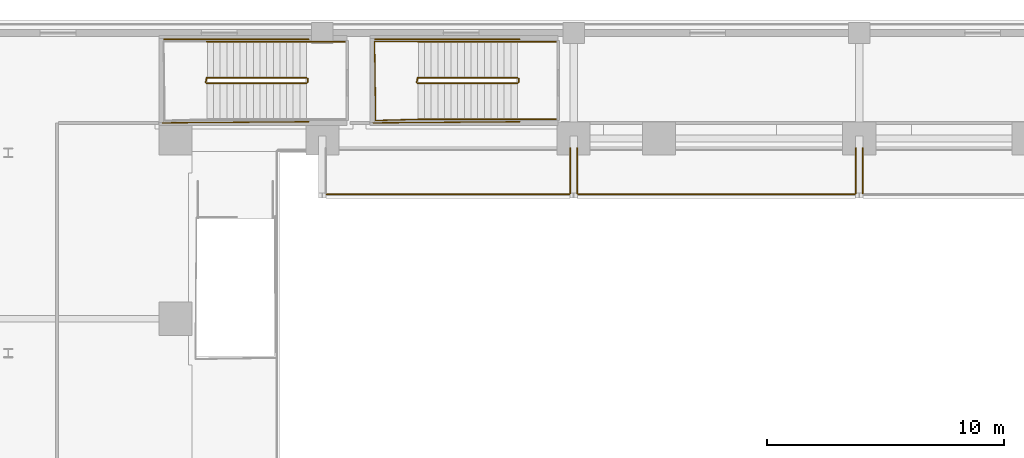
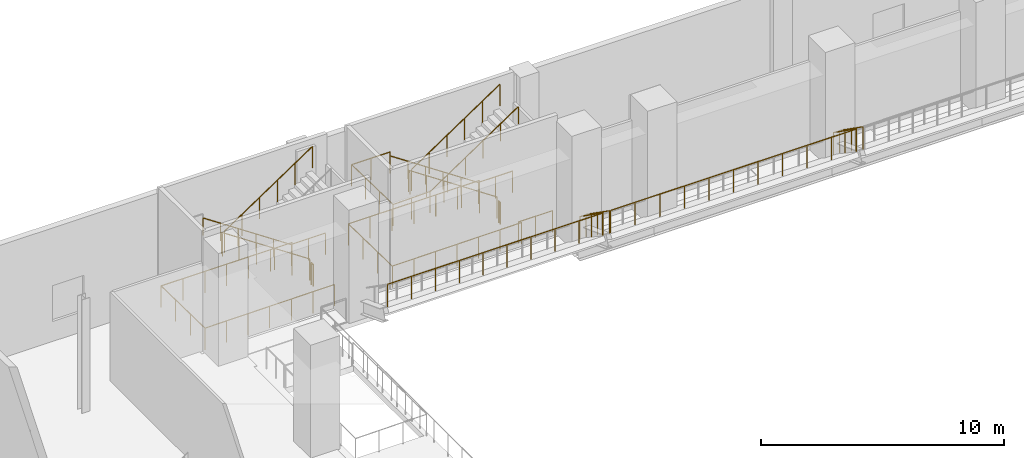
# One storey, part 21 of 28: 21 railings.
"""IFC4 building model written with IfcOpenShell, lengths in metres."""

from ifc_helpers import new_model, si_unit, direction, frame, origin, origin_2d, place, context, subcontext, project, spatial, circle, extrude, material, layer, layer_set, type_object, element, save


model = new_model("IFC4")

# Units and contexts
model_context = context("Model", 3, precision=1e-05, world=origin(), true_north=direction((0.0, 1.0)))
body_context = subcontext(model_context, "Body", "Model", "MODEL_VIEW")
ifc_project = project(units=[si_unit("LENGTHUNIT", "METRE"), si_unit("AREAUNIT", "SQUARE_METRE"), si_unit("VOLUMEUNIT", "CUBIC_METRE"), si_unit("PLANEANGLEUNIT", "RADIAN"), si_unit("MASSUNIT", "GRAM", prefix="KILO")], contexts=[model_context])

# Site, building, storey
site_placement = place(None, origin())
site = spatial("IfcSite", under=ifc_project, at=site_placement, CompositionType="ELEMENT")
building_placement = place(site_placement, origin())
building = spatial("IfcBuilding", under=site, at=building_placement, Name="Ndaravel Arena Tower", CompositionType="ELEMENT")
storey_placement = place(building_placement, frame((0.0, 0.0, 18.0)))
storey = spatial("IfcBuildingStorey", under=building, at=storey_placement, Name="L03", CompositionType="ELEMENT", Elevation=18.0)

# Railings
ifc_material_1 = material(Name="Steel S355", Category="steel")
ifc_layer_1 = layer(ifc_material_1, 0.06005859375)
ifc_layer_set_1 = layer_set([ifc_layer_1], Name="Steel S355")
railing_type_1 = type_object("IfcRailingType", Name="RAIL-STAIR-GD1100", PredefinedType="GUARDRAIL", material=ifc_layer_set_1)
railing_1_placement = place(storey_placement, frame((19.330078125, 45.570068359375, 0.1875)))
element("IfcRailing", 1, at=railing_1_placement, inside=storey, type_object=railing_type_1, Name="L03 ST-A08 stair guard 1", PredefinedType="GUARDRAIL", context=body_context, shape_type="SweptSolid", body=[
    extrude(circle(Radius=0.02392578125, at=origin_2d()), frame((0.0, 0.0, 1.076171875), z_axis=(-0.830919138977, 0.0, 0.55639319234), x_axis=(0.0, -1.0, 0.0)), (0.0, 0.0, 1.0), 5.054931640625),
    extrude(circle(Radius=0.02392578125, at=origin_2d()), frame((-4.2001953125, 0.0, 3.888671875), z_axis=(-0.253331722487, -0.967379469692, 0.0), x_axis=(0.967379469692, -0.253331722487, 0.0)), (0.0, 0.0, 1.0), 0.196533203125),
    extrude(circle(Radius=0.02099609375, at=origin_2d()), origin(), (0.0, 0.0, 1.0), 1.052001953125),
    extrude(circle(Radius=0.02099609375, at=origin_2d()), frame((-0.840087890625, 0.0, 0.5625)), (0.0, 0.0, 1.0), 1.052001953125),
    extrude(circle(Radius=0.02099609375, at=origin_2d()), frame((-1.68017578125, 0.0, 1.125)), (0.0, 0.0, 1.0), 1.052001953125),
    extrude(circle(Radius=0.02099609375, at=origin_2d()), frame((-2.52001953125, 0.0, 1.6875)), (0.0, 0.0, 1.0), 1.052001953125),
    extrude(circle(Radius=0.02099609375, at=origin_2d()), frame((-3.360107421875, 0.0, 2.25)), (0.0, 0.0, 1.0), 1.052001953125),
    extrude(circle(Radius=0.02099609375, at=origin_2d()), frame((-4.2001953125, 0.0, 2.8125)), (0.0, 0.0, 1.0), 1.052001953125),
    extrude(circle(Radius=0.02099609375, at=origin_2d()), frame((-4.25, -0.190185546875, 2.8125)), (0.0, 0.0, 1.0), 1.052001953125),
])
railing_2_placement = place(storey_placement, frame((15.1298828125, 45.330078125, 3.1875)))
element("IfcRailing", 2, at=railing_2_placement, inside=storey, type_object=railing_type_1, Name="L03 ST-A08 stair guard 3", PredefinedType="GUARDRAIL", context=body_context, shape_type="SweptSolid", body=[
    extrude(circle(Radius=0.02392578125, at=origin_2d()), frame((0.0, 0.0, 1.076171875), z_axis=(0.830919138977, 0.0, 0.55639319234), x_axis=(0.0, 1.0, 0.0)), (0.0, 0.0, 1.0), 5.054931640625),
    extrude(circle(Radius=0.02099609375, at=origin_2d()), origin(), (0.0, 0.0, 1.0), 1.052001953125),
    extrude(circle(Radius=0.02099609375, at=origin_2d()), frame((0.840087890625, 0.0, 0.5625)), (0.0, 0.0, 1.0), 1.052001953125),
    extrude(circle(Radius=0.02099609375, at=origin_2d()), frame((1.68017578125, 0.0, 1.125)), (0.0, 0.0, 1.0), 1.052001953125),
    extrude(circle(Radius=0.02099609375, at=origin_2d()), frame((2.52001953125, 0.0, 1.6875)), (0.0, 0.0, 1.0), 1.052001953125),
    extrude(circle(Radius=0.02099609375, at=origin_2d()), frame((3.360107421875, 0.0, 2.25)), (0.0, 0.0, 1.0), 1.052001953125),
    extrude(circle(Radius=0.02099609375, at=origin_2d()), frame((4.2001953125, 0.0, 2.8125)), (0.0, 0.0, 1.0), 1.052001953125),
])
railing_3_placement = place(storey_placement, frame((19.3798828125, 45.52001953125, 0.0)))
element("IfcRailing", 3, at=railing_3_placement, inside=storey, type_object=railing_type_1, Name="L03 ST-A08 stair guard 4", PredefinedType="GUARDRAIL", context=body_context, shape_type="SweptSolid", body=[
    extrude(circle(Radius=0.02392578125, at=origin_2d()), frame((0.0, 0.0, 1.076171875), z_axis=(0.0, -1.0, 0.0), x_axis=(1.0, 0.0, 0.0)), (0.0, 0.0, 1.0), 0.14013671875),
    extrude(circle(Radius=0.02099609375, at=origin_2d()), origin(), (0.0, 0.0, 1.0), 1.052001953125),
    extrude(circle(Radius=0.02099609375, at=origin_2d()), frame((0.0, -0.14013671875, 0.0)), (0.0, 0.0, 1.0), 1.052001953125),
])
railing_4_placement = place(storey_placement, frame((20.949951171875, 47.090087890625, 0.0)))
element("IfcRailing", 4, at=railing_4_placement, inside=storey, type_object=railing_type_1, Name="L03 ST-A08 stair guard 5", PredefinedType="GUARDRAIL", context=body_context, shape_type="SweptSolid", body=[
    extrude(circle(Radius=0.02392578125, at=origin_2d()), frame((0.0, 0.0, 1.076171875), z_axis=(-1.0, 0.0, 0.0), x_axis=(0.0, -1.0, 0.0)), (0.0, 0.0, 1.0), 1.619873046875),
    extrude(circle(Radius=0.02099609375, at=origin_2d()), origin(), (0.0, 0.0, 1.0), 1.052001953125),
    extrude(circle(Radius=0.02099609375, at=origin_2d()), frame((-0.81005859375, 0.0, 0.0)), (0.0, 0.0, 1.0), 1.052001953125),
    extrude(circle(Radius=0.02099609375, at=origin_2d()), frame((-1.619873046875, 0.0, 0.0)), (0.0, 0.0, 1.0), 1.052001953125),
])
railing_5_placement = place(storey_placement, frame((19.429931640625, 47.18994140625, 0.0)))
element("IfcRailing", 5, at=railing_5_placement, inside=storey, type_object=railing_type_1, Name="L03 ST-A08 stair guard 7", PredefinedType="GUARDRAIL", context=body_context, shape_type="SweptSolid", body=[
    extrude(circle(Radius=0.02392578125, at=origin_2d()), frame((0.0, 0.0, 1.076171875), z_axis=(-1.0, 0.0, 0.0), x_axis=(0.0, -1.0, 0.0)), (0.0, 0.0, 1.0), 6.22998046875),
    extrude(circle(Radius=0.02392578125, at=origin_2d()), frame((-6.22998046875, 0.0, 1.076171875), z_axis=(0.014176595818, -0.999899507016, 0.0), x_axis=(0.999899507016, 0.014176595818, 0.0)), (0.0, 0.0, 1.0), 3.5302734375),
    extrude(circle(Radius=0.02392578125, at=origin_2d()), frame((-6.179931640625, -3.530029296875, 1.076171875), z_axis=(0.999967207908, 0.008098339889, 0.0), x_axis=(-0.008098339889, 0.999967207908, 0.0)), (0.0, 0.0, 1.0), 6.18017578125),
    extrude(circle(Radius=0.02099609375, at=origin_2d()), origin(), (0.0, 0.0, 1.0), 1.052001953125),
    extrude(circle(Radius=0.02099609375, at=origin_2d()), frame((-1.038330078125, 0.0, 0.0)), (0.0, 0.0, 1.0), 1.052001953125),
    extrude(circle(Radius=0.02099609375, at=origin_2d()), frame((-2.07666015625, 0.0, 0.0)), (0.0, 0.0, 1.0), 1.052001953125),
    extrude(circle(Radius=0.02099609375, at=origin_2d()), frame((-3.114990234375, 0.0, 0.0)), (0.0, 0.0, 1.0), 1.052001953125),
    extrude(circle(Radius=0.02099609375, at=origin_2d()), frame((-4.1533203125, 0.0, 0.0)), (0.0, 0.0, 1.0), 1.052001953125),
    extrude(circle(Radius=0.02099609375, at=origin_2d()), frame((-5.191650390625, 0.0, 0.0)), (0.0, 0.0, 1.0), 1.052001953125),
    extrude(circle(Radius=0.02099609375, at=origin_2d()), frame((-6.22998046875, 0.0, 0.0)), (0.0, 0.0, 1.0), 1.052001953125),
    extrude(circle(Radius=0.02099609375, at=origin_2d()), frame((-6.21337890625, -1.1767578125, 0.0)), (0.0, 0.0, 1.0), 1.052001953125),
    extrude(circle(Radius=0.02099609375, at=origin_2d()), frame((-6.196533203125, -2.353271484375, 0.0)), (0.0, 0.0, 1.0), 1.052001953125),
    extrude(circle(Radius=0.02099609375, at=origin_2d()), frame((-6.179931640625, -3.530029296875, 0.0)), (0.0, 0.0, 1.0), 1.052001953125),
    extrude(circle(Radius=0.02099609375, at=origin_2d()), frame((-5.14990234375, -3.521728515625, 0.0)), (0.0, 0.0, 1.0), 1.052001953125),
    extrude(circle(Radius=0.02099609375, at=origin_2d()), frame((-4.119873046875, -3.513427734375, 0.0)), (0.0, 0.0, 1.0), 1.052001953125),
    extrude(circle(Radius=0.02099609375, at=origin_2d()), frame((-3.08984375, -3.5048828125, 0.0)), (0.0, 0.0, 1.0), 1.052001953125),
    extrude(circle(Radius=0.02099609375, at=origin_2d()), frame((-2.06005859375, -3.49658203125, 0.0)), (0.0, 0.0, 1.0), 1.052001953125),
    extrude(circle(Radius=0.02099609375, at=origin_2d()), frame((-1.030029296875, -3.48828125, 0.0)), (0.0, 0.0, 1.0), 1.052001953125),
    extrude(circle(Radius=0.02099609375, at=origin_2d()), frame((0.0, -3.47998046875, 0.0)), (0.0, 0.0, 1.0), 1.052001953125),
])
railing_6_placement = place(storey_placement, frame((28.22998046875, 45.570068359375, 0.1875)))
element("IfcRailing", 6, at=railing_6_placement, inside=storey, type_object=railing_type_1, Name="L03 ST-A09 stair guard 1", PredefinedType="GUARDRAIL", context=body_context, shape_type="SweptSolid", body=[
    extrude(circle(Radius=0.02392578125, at=origin_2d()), frame((0.0, 0.0, 1.076171875), z_axis=(-0.830904186295, 0.0, 0.556415522067), x_axis=(0.0, -1.0, 0.0)), (0.0, 0.0, 1.0), 5.0546875),
    extrude(circle(Radius=0.02392578125, at=origin_2d()), frame((-4.199951171875, 0.0, 3.888671875), z_axis=(-0.25449329928, -0.967074537263, 0.0), x_axis=(0.967074537263, -0.25449329928, 0.0)), (0.0, 0.0, 1.0), 0.19677734375),
    extrude(circle(Radius=0.02099609375, at=origin_2d()), origin(), (0.0, 0.0, 1.0), 1.052001953125),
    extrude(circle(Radius=0.02099609375, at=origin_2d()), frame((-0.840087890625, 0.0, 0.5625)), (0.0, 0.0, 1.0), 1.052001953125),
    extrude(circle(Radius=0.02099609375, at=origin_2d()), frame((-1.679931640625, 0.0, 1.125)), (0.0, 0.0, 1.0), 1.052001953125),
    extrude(circle(Radius=0.02099609375, at=origin_2d()), frame((-2.52001953125, 0.0, 1.6875)), (0.0, 0.0, 1.0), 1.052001953125),
    extrude(circle(Radius=0.02099609375, at=origin_2d()), frame((-3.35986328125, 0.0, 2.25)), (0.0, 0.0, 1.0), 1.052001953125),
    extrude(circle(Radius=0.02099609375, at=origin_2d()), frame((-4.199951171875, 0.0, 2.8125)), (0.0, 0.0, 1.0), 1.052001953125),
    extrude(circle(Radius=0.02099609375, at=origin_2d()), frame((-4.25, -0.190185546875, 2.8125)), (0.0, 0.0, 1.0), 1.052001953125),
])
railing_7_placement = place(storey_placement, frame((24.030029296875, 47.090087890625, 3.0)))
element("IfcRailing", 7, at=railing_7_placement, inside=storey, type_object=railing_type_1, Name="L03 ST-A09 stair guard 2", PredefinedType="GUARDRAIL", context=body_context, shape_type="SweptSolid", body=[
    extrude(circle(Radius=0.02392578125, at=origin_2d()), frame((0.0, 0.0, 1.076171875), z_axis=(-1.0, 0.0, 0.0), x_axis=(0.0, -1.0, 0.0)), (0.0, 0.0, 1.0), 1.830078125),
    extrude(circle(Radius=0.02392578125, at=origin_2d()), frame((-1.830078125, 0.0, 1.076171875), z_axis=(0.015027628384, -0.999887078817, 0.0), x_axis=(0.999887078817, 0.015027628384, 0.0)), (0.0, 0.0, 1.0), 3.33056640625),
    extrude(circle(Radius=0.02392578125, at=origin_2d()), frame((-1.780029296875, -3.330078125, 1.076171875), z_axis=(0.999604955407, 0.028105748986, 0.0), x_axis=(-0.028105748986, 0.999604955407, 0.0)), (0.0, 0.0, 1.0), 1.78076171875),
    extrude(circle(Radius=0.02099609375, at=origin_2d()), origin(), (0.0, 0.0, 1.0), 1.052001953125),
    extrude(circle(Radius=0.02099609375, at=origin_2d()), frame((-0.9150390625, 0.0, 0.0)), (0.0, 0.0, 1.0), 1.052001953125),
    extrude(circle(Radius=0.02099609375, at=origin_2d()), frame((-1.830078125, 0.0, 0.0)), (0.0, 0.0, 1.0), 1.052001953125),
    extrude(circle(Radius=0.02099609375, at=origin_2d()), frame((-1.8134765625, -1.110107421875, 0.0)), (0.0, 0.0, 1.0), 1.052001953125),
    extrude(circle(Radius=0.02099609375, at=origin_2d()), frame((-1.796630859375, -2.219970703125, 0.0)), (0.0, 0.0, 1.0), 1.052001953125),
    extrude(circle(Radius=0.02099609375, at=origin_2d()), frame((-1.780029296875, -3.330078125, 0.0)), (0.0, 0.0, 1.0), 1.052001953125),
    extrude(circle(Radius=0.02099609375, at=origin_2d()), frame((-0.89013671875, -3.30517578125, 0.0)), (0.0, 0.0, 1.0), 1.052001953125),
    extrude(circle(Radius=0.02099609375, at=origin_2d()), frame((0.0, -3.280029296875, 0.0)), (0.0, 0.0, 1.0), 1.052001953125),
])
railing_8_placement = place(storey_placement, frame((24.030029296875, 45.330078125, 3.1875)))
element("IfcRailing", 8, at=railing_8_placement, inside=storey, type_object=railing_type_1, Name="L03 ST-A09 stair guard 3", PredefinedType="GUARDRAIL", context=body_context, shape_type="SweptSolid", body=[
    extrude(circle(Radius=0.02392578125, at=origin_2d()), frame((0.0, 0.0, 1.076171875), z_axis=(0.830904186295, 0.0, 0.556415522067), x_axis=(0.0, 1.0, 0.0)), (0.0, 0.0, 1.0), 5.0546875),
    extrude(circle(Radius=0.02099609375, at=origin_2d()), origin(), (0.0, 0.0, 1.0), 1.052001953125),
    extrude(circle(Radius=0.02099609375, at=origin_2d()), frame((0.840087890625, 0.0, 0.5625)), (0.0, 0.0, 1.0), 1.052001953125),
    extrude(circle(Radius=0.02099609375, at=origin_2d()), frame((1.679931640625, 0.0, 1.125)), (0.0, 0.0, 1.0), 1.052001953125),
    extrude(circle(Radius=0.02099609375, at=origin_2d()), frame((2.52001953125, 0.0, 1.6875)), (0.0, 0.0, 1.0), 1.052001953125),
    extrude(circle(Radius=0.02099609375, at=origin_2d()), frame((3.35986328125, 0.0, 2.25)), (0.0, 0.0, 1.0), 1.052001953125),
    extrude(circle(Radius=0.02099609375, at=origin_2d()), frame((4.199951171875, 0.0, 2.8125)), (0.0, 0.0, 1.0), 1.052001953125),
])
railing_9_placement = place(storey_placement, frame((28.280029296875, 45.52001953125, 0.0)))
element("IfcRailing", 9, at=railing_9_placement, inside=storey, type_object=railing_type_1, Name="L03 ST-A09 stair guard 4", PredefinedType="GUARDRAIL", context=body_context, shape_type="SweptSolid", body=[
    extrude(circle(Radius=0.02392578125, at=origin_2d()), frame((0.0, 0.0, 1.076171875), z_axis=(0.0, -1.0, 0.0), x_axis=(1.0, 0.0, 0.0)), (0.0, 0.0, 1.0), 0.14013671875),
    extrude(circle(Radius=0.02099609375, at=origin_2d()), origin(), (0.0, 0.0, 1.0), 1.052001953125),
    extrude(circle(Radius=0.02099609375, at=origin_2d()), frame((0.0, -0.14013671875, 0.0)), (0.0, 0.0, 1.0), 1.052001953125),
])
for number, where, name in (
    (10, (29.85009765625, 47.090087890625, 0.0), "L03 ST-A09 stair guard 5"),
    (11, (29.85009765625, 43.81005859375, 0.0), "L03 ST-A09 stair guard 6"),
):
    element("IfcRailing", number, at=place(storey_placement, frame(where)), inside=storey, type_object=railing_type_1, Name=name, PredefinedType="GUARDRAIL", context=body_context, shape_type="SweptSolid", body=[
        extrude(circle(Radius=0.02392578125, at=origin_2d()), frame((0.0, 0.0, 1.076171875), z_axis=(-1.0, 0.0, 0.0), x_axis=(0.0, -1.0, 0.0)), (0.0, 0.0, 1.0), 1.6201171875),
        extrude(circle(Radius=0.02099609375, at=origin_2d()), origin(), (0.0, 0.0, 1.0), 1.052001953125),
        extrude(circle(Radius=0.02099609375, at=origin_2d()), frame((-0.81005859375, 0.0, 0.0)), (0.0, 0.0, 1.0), 1.052001953125),
        extrude(circle(Radius=0.02099609375, at=origin_2d()), frame((-1.6201171875, 0.0, 0.0)), (0.0, 0.0, 1.0), 1.052001953125),
    ])
railing_10_placement = place(storey_placement, frame((28.330078125, 47.18994140625, 0.0)))
element("IfcRailing", 12, at=railing_10_placement, inside=storey, type_object=railing_type_1, Name="L03 ST-A09 stair guard 7", PredefinedType="GUARDRAIL", context=body_context, shape_type="SweptSolid", body=[
    extrude(circle(Radius=0.02392578125, at=origin_2d()), frame((0.0, 0.0, 1.076171875), z_axis=(-1.0, 0.0, 0.0), x_axis=(0.0, -1.0, 0.0)), (0.0, 0.0, 1.0), 6.22998046875),
    extrude(circle(Radius=0.02392578125, at=origin_2d()), frame((-6.22998046875, 0.0, 1.076171875), z_axis=(0.014107455489, -0.999900484898, 0.0), x_axis=(0.999900484898, 0.014107455489, 0.0)), (0.0, 0.0, 1.0), 3.5302734375),
    extrude(circle(Radius=0.02392578125, at=origin_2d()), frame((-6.18017578125, -3.530029296875, 1.076171875), z_axis=(0.999967210499, 0.008098019995, 0.0), x_axis=(-0.008098019995, 0.999967210499, 0.0)), (0.0, 0.0, 1.0), 6.180419921875),
    extrude(circle(Radius=0.02099609375, at=origin_2d()), origin(), (0.0, 0.0, 1.0), 1.052001953125),
    extrude(circle(Radius=0.02099609375, at=origin_2d()), frame((-1.038330078125, 0.0, 0.0)), (0.0, 0.0, 1.0), 1.052001953125),
    extrude(circle(Radius=0.02099609375, at=origin_2d()), frame((-2.07666015625, 0.0, 0.0)), (0.0, 0.0, 1.0), 1.052001953125),
    extrude(circle(Radius=0.02099609375, at=origin_2d()), frame((-3.114990234375, 0.0, 0.0)), (0.0, 0.0, 1.0), 1.052001953125),
    extrude(circle(Radius=0.02099609375, at=origin_2d()), frame((-4.1533203125, 0.0, 0.0)), (0.0, 0.0, 1.0), 1.052001953125),
    extrude(circle(Radius=0.02099609375, at=origin_2d()), frame((-5.191650390625, 0.0, 0.0)), (0.0, 0.0, 1.0), 1.052001953125),
    extrude(circle(Radius=0.02099609375, at=origin_2d()), frame((-6.22998046875, 0.0, 0.0)), (0.0, 0.0, 1.0), 1.052001953125),
    extrude(circle(Radius=0.02099609375, at=origin_2d()), frame((-6.21337890625, -1.1767578125, 0.0)), (0.0, 0.0, 1.0), 1.052001953125),
    extrude(circle(Radius=0.02099609375, at=origin_2d()), frame((-6.19677734375, -2.353271484375, 0.0)), (0.0, 0.0, 1.0), 1.052001953125),
    extrude(circle(Radius=0.02099609375, at=origin_2d()), frame((-6.18017578125, -3.530029296875, 0.0)), (0.0, 0.0, 1.0), 1.052001953125),
    extrude(circle(Radius=0.02099609375, at=origin_2d()), frame((-5.150146484375, -3.521728515625, 0.0)), (0.0, 0.0, 1.0), 1.052001953125),
    extrude(circle(Radius=0.02099609375, at=origin_2d()), frame((-4.1201171875, -3.513427734375, 0.0)), (0.0, 0.0, 1.0), 1.052001953125),
    extrude(circle(Radius=0.02099609375, at=origin_2d()), frame((-3.090087890625, -3.5048828125, 0.0)), (0.0, 0.0, 1.0), 1.052001953125),
    extrude(circle(Radius=0.02099609375, at=origin_2d()), frame((-2.06005859375, -3.49658203125, 0.0)), (0.0, 0.0, 1.0), 1.052001953125),
    extrude(circle(Radius=0.02099609375, at=origin_2d()), frame((-1.030029296875, -3.48828125, 0.0)), (0.0, 0.0, 1.0), 1.052001953125),
    extrude(circle(Radius=0.02099609375, at=origin_2d()), frame((0.0, -3.47998046875, 0.0)), (0.0, 0.0, 1.0), 1.052001953125),
])
ifc_material_2 = material(Name="Steel S355", Category="steel")
ifc_layer_2 = layer(ifc_material_2, 0.050048828125)
ifc_layer_set_2 = layer_set([ifc_layer_2], Name="Steel S355")
railing_type_2 = type_object("IfcRailingType", Name="RAIL-STAIR-HR920", PredefinedType="HANDRAIL", material=ifc_layer_set_2)
railing_11_placement = place(storey_placement, frame((19.330078125, 47.090087890625, 0.1875)))
element("IfcRailing", 13, at=railing_11_placement, inside=storey, type_object=railing_type_2, Name="L03 ST-A08 stair handrail 1", PredefinedType="HANDRAIL", context=body_context, shape_type="SweptSolid", body=[
    extrude(circle(Radius=0.02392578125, at=origin_2d()), frame((0.0, 0.0, 0.8759765625), z_axis=(-0.830919138977, 0.0, 0.55639319234), x_axis=(0.0, -1.0, 0.0)), (0.0, 0.0, 1.0), 5.054931640625),
    extrude(circle(Radius=0.02099609375, at=origin_2d()), origin(), (0.0, 0.0, 1.0), 0.851806640625),
    extrude(circle(Radius=0.02099609375, at=origin_2d()), frame((-0.840087890625, 0.0, 0.5625)), (0.0, 0.0, 1.0), 0.851806640625),
    extrude(circle(Radius=0.02099609375, at=origin_2d()), frame((-1.68017578125, 0.0, 1.125)), (0.0, 0.0, 1.0), 0.851806640625),
    extrude(circle(Radius=0.02099609375, at=origin_2d()), frame((-2.52001953125, 0.0, 1.6875)), (0.0, 0.0, 1.0), 0.851806640625),
    extrude(circle(Radius=0.02099609375, at=origin_2d()), frame((-3.360107421875, 0.0, 2.25)), (0.0, 0.0, 1.0), 0.851806640625),
    extrude(circle(Radius=0.02099609375, at=origin_2d()), frame((-4.2001953125, 0.0, 2.8125)), (0.0, 0.0, 1.0), 0.851806640625),
])
railing_12_placement = place(storey_placement, frame((28.22998046875, 47.090087890625, 0.1875)))
element("IfcRailing", 14, at=railing_12_placement, inside=storey, type_object=railing_type_2, Name="L03 ST-A09 stair handrail 1", PredefinedType="HANDRAIL", context=body_context, shape_type="SweptSolid", body=[
    extrude(circle(Radius=0.02392578125, at=origin_2d()), frame((0.0, 0.0, 0.8759765625), z_axis=(-0.830904186295, 0.0, 0.556415522067), x_axis=(0.0, -1.0, 0.0)), (0.0, 0.0, 1.0), 5.0546875),
    extrude(circle(Radius=0.02099609375, at=origin_2d()), origin(), (0.0, 0.0, 1.0), 0.851806640625),
    extrude(circle(Radius=0.02099609375, at=origin_2d()), frame((-0.840087890625, 0.0, 0.5625)), (0.0, 0.0, 1.0), 0.851806640625),
    extrude(circle(Radius=0.02099609375, at=origin_2d()), frame((-1.679931640625, 0.0, 1.125)), (0.0, 0.0, 1.0), 0.851806640625),
    extrude(circle(Radius=0.02099609375, at=origin_2d()), frame((-2.52001953125, 0.0, 1.6875)), (0.0, 0.0, 1.0), 0.851806640625),
    extrude(circle(Radius=0.02099609375, at=origin_2d()), frame((-3.35986328125, 0.0, 2.25)), (0.0, 0.0, 1.0), 0.851806640625),
    extrude(circle(Radius=0.02099609375, at=origin_2d()), frame((-4.199951171875, 0.0, 2.8125)), (0.0, 0.0, 1.0), 0.851806640625),
])
railing_13_placement = place(storey_placement, frame((24.030029296875, 43.81005859375, 3.1875)))
element("IfcRailing", 15, at=railing_13_placement, inside=storey, type_object=railing_type_2, Name="L03 ST-A09 stair handrail 2", PredefinedType="HANDRAIL", context=body_context, shape_type="SweptSolid", body=[
    extrude(circle(Radius=0.02392578125, at=origin_2d()), frame((0.0, 0.0, 0.8759765625), z_axis=(0.830904186295, 0.0, 0.556415522067), x_axis=(0.0, 1.0, 0.0)), (0.0, 0.0, 1.0), 5.0546875),
    extrude(circle(Radius=0.02099609375, at=origin_2d()), origin(), (0.0, 0.0, 1.0), 0.851806640625),
    extrude(circle(Radius=0.02099609375, at=origin_2d()), frame((0.840087890625, 0.0, 0.5625)), (0.0, 0.0, 1.0), 0.851806640625),
    extrude(circle(Radius=0.02099609375, at=origin_2d()), frame((1.679931640625, 0.0, 1.125)), (0.0, 0.0, 1.0), 0.851806640625),
    extrude(circle(Radius=0.02099609375, at=origin_2d()), frame((2.52001953125, 0.0, 1.6875)), (0.0, 0.0, 1.0), 0.851806640625),
    extrude(circle(Radius=0.02099609375, at=origin_2d()), frame((3.35986328125, 0.0, 2.25)), (0.0, 0.0, 1.0), 0.851806640625),
    extrude(circle(Radius=0.02099609375, at=origin_2d()), frame((4.199951171875, 0.0, 2.8125)), (0.0, 0.0, 1.0), 0.851806640625),
])
ifc_material_3 = material(Name="Glazing", Category="glass")
ifc_layer_3 = layer(ifc_material_3, 0.070068359375)
ifc_layer_set_3 = layer_set([ifc_layer_3], Name="Glazing")
railing_type_3 = type_object("IfcRailingType", Name="RAIL-TERRACE-1150", PredefinedType="BALUSTRADE", material=ifc_layer_set_3)
railing_14_placement = place(storey_placement, frame((20.18994140625, 40.64990234375, 1.550048828125)))
element("IfcRailing", 16, at=railing_14_placement, inside=storey, type_object=railing_type_3, Name="L03 Upper North Stand Guard 1F", PredefinedType="BALUSTRADE", context=body_context, shape_type="SweptSolid", body=[
    extrude(circle(Radius=0.02392578125, at=origin_2d()), frame((0.0, 0.0, 1.1259765625), z_axis=(1.0, 0.0, 0.0), x_axis=(0.0, 1.0, 0.0)), (0.0, 0.0, 1.0), 10.219970703125),
    extrude(circle(Radius=0.02099609375, at=origin_2d()), origin(), (0.0, 0.0, 1.0), 1.101806640625),
    extrude(circle(Radius=0.02099609375, at=origin_2d()), frame((1.135498046875, 0.0, 0.0)), (0.0, 0.0, 1.0), 1.101806640625),
    extrude(circle(Radius=0.02099609375, at=origin_2d()), frame((2.27099609375, 0.0, 0.0)), (0.0, 0.0, 1.0), 1.101806640625),
    extrude(circle(Radius=0.02099609375, at=origin_2d()), frame((3.40673828125, 0.0, 0.0)), (0.0, 0.0, 1.0), 1.101806640625),
    extrude(circle(Radius=0.02099609375, at=origin_2d()), frame((4.542236328125, 0.0, 0.0)), (0.0, 0.0, 1.0), 1.101806640625),
    extrude(circle(Radius=0.02099609375, at=origin_2d()), frame((5.677734375, 0.0, 0.0)), (0.0, 0.0, 1.0), 1.101806640625),
    extrude(circle(Radius=0.02099609375, at=origin_2d()), frame((6.813232421875, 0.0, 0.0)), (0.0, 0.0, 1.0), 1.101806640625),
    extrude(circle(Radius=0.02099609375, at=origin_2d()), frame((7.948974609375, 0.0, 0.0)), (0.0, 0.0, 1.0), 1.101806640625),
    extrude(circle(Radius=0.02099609375, at=origin_2d()), frame((9.08447265625, 0.0, 0.0)), (0.0, 0.0, 1.0), 1.101806640625),
    extrude(circle(Radius=0.02099609375, at=origin_2d()), frame((10.219970703125, 0.0, 0.0)), (0.0, 0.0, 1.0), 1.101806640625),
])
railing_15_placement = place(storey_placement, frame((30.449951171875, 40.68994140625, 1.52001953125)))
element("IfcRailing", 17, at=railing_15_placement, inside=storey, type_object=railing_type_3, Name="L03 Upper North Stand Guard 1E", PredefinedType="BALUSTRADE", context=body_context, shape_type="SweptSolid", body=[
    extrude(circle(Radius=0.02392578125, at=origin_2d()), frame((0.0, 0.0, 1.1259765625), z_axis=(0.0, 0.818631776283, -0.574318739777), x_axis=(-1.0, 0.0, 0.0)), (0.0, 0.0, 1.0), 2.333251953125),
    extrude(circle(Radius=0.02099609375, at=origin_2d()), origin(), (0.0, 0.0, 1.0), 1.101806640625),
    extrude(circle(Radius=0.02099609375, at=origin_2d()), frame((0.0, 0.955078125, -0.669921875)), (0.0, 0.0, 1.0), 1.101806640625),
    extrude(circle(Radius=0.02099609375, at=origin_2d()), frame((0.0, 1.91015625, -1.340087890625)), (0.0, 0.0, 1.0), 1.101806640625),
])
railing_16_placement = place(storey_placement, frame((30.75, 42.60009765625, 0.179931640625)))
element("IfcRailing", 18, at=railing_16_placement, inside=storey, type_object=railing_type_3, Name="L03 Upper North Stand Guard 2W", PredefinedType="BALUSTRADE", context=body_context, shape_type="SweptSolid", body=[
    extrude(circle(Radius=0.02392578125, at=origin_2d()), frame((0.0, 0.0, 1.1259765625), z_axis=(0.0, -0.818631776283, 0.574318739777), x_axis=(1.0, 0.0, 0.0)), (0.0, 0.0, 1.0), 2.333251953125),
    extrude(circle(Radius=0.02099609375, at=origin_2d()), origin(), (0.0, 0.0, 1.0), 1.101806640625),
    extrude(circle(Radius=0.02099609375, at=origin_2d()), frame((0.0, -0.955078125, 0.669921875)), (0.0, 0.0, 1.0), 1.101806640625),
    extrude(circle(Radius=0.02099609375, at=origin_2d()), frame((0.0, -1.91015625, 1.340087890625)), (0.0, 0.0, 1.0), 1.101806640625),
])
railing_17_placement = place(storey_placement, frame((30.7900390625, 40.64990234375, 1.550048828125)))
element("IfcRailing", 19, at=railing_17_placement, inside=storey, type_object=railing_type_3, Name="L03 Upper North Stand Guard 2F", PredefinedType="BALUSTRADE", context=body_context, shape_type="SweptSolid", body=[
    extrude(circle(Radius=0.02392578125, at=origin_2d()), frame((0.0, 0.0, 1.1259765625), z_axis=(1.0, 0.0, 0.0), x_axis=(0.0, 1.0, 0.0)), (0.0, 0.0, 1.0), 11.669921875),
    extrude(circle(Radius=0.02099609375, at=origin_2d()), origin(), (0.0, 0.0, 1.0), 1.101806640625),
    extrude(circle(Radius=0.02099609375, at=origin_2d()), frame((1.1669921875, 0.0, 0.0)), (0.0, 0.0, 1.0), 1.101806640625),
    extrude(circle(Radius=0.02099609375, at=origin_2d()), frame((2.333984375, 0.0, 0.0)), (0.0, 0.0, 1.0), 1.101806640625),
    extrude(circle(Radius=0.02099609375, at=origin_2d()), frame((3.5009765625, 0.0, 0.0)), (0.0, 0.0, 1.0), 1.101806640625),
    extrude(circle(Radius=0.02099609375, at=origin_2d()), frame((4.66796875, 0.0, 0.0)), (0.0, 0.0, 1.0), 1.101806640625),
    extrude(circle(Radius=0.02099609375, at=origin_2d()), frame((5.8349609375, 0.0, 0.0)), (0.0, 0.0, 1.0), 1.101806640625),
    extrude(circle(Radius=0.02099609375, at=origin_2d()), frame((7.001953125, 0.0, 0.0)), (0.0, 0.0, 1.0), 1.101806640625),
    extrude(circle(Radius=0.02099609375, at=origin_2d()), frame((8.1689453125, 0.0, 0.0)), (0.0, 0.0, 1.0), 1.101806640625),
    extrude(circle(Radius=0.02099609375, at=origin_2d()), frame((9.3359375, 0.0, 0.0)), (0.0, 0.0, 1.0), 1.101806640625),
    extrude(circle(Radius=0.02099609375, at=origin_2d()), frame((10.5029296875, 0.0, 0.0)), (0.0, 0.0, 1.0), 1.101806640625),
    extrude(circle(Radius=0.02099609375, at=origin_2d()), frame((11.669921875, 0.0, 0.0)), (0.0, 0.0, 1.0), 1.101806640625),
])
railing_18_placement = place(storey_placement, frame((42.5, 40.68994140625, 1.52001953125)))
element("IfcRailing", 20, at=railing_18_placement, inside=storey, type_object=railing_type_3, Name="L03 Upper North Stand Guard 2E", PredefinedType="BALUSTRADE", context=body_context, shape_type="SweptSolid", body=[
    extrude(circle(Radius=0.02392578125, at=origin_2d()), frame((0.0, 0.0, 1.1259765625), z_axis=(0.0, 0.818631776283, -0.574318739777), x_axis=(-1.0, 0.0, 0.0)), (0.0, 0.0, 1.0), 2.333251953125),
    extrude(circle(Radius=0.02099609375, at=origin_2d()), origin(), (0.0, 0.0, 1.0), 1.101806640625),
    extrude(circle(Radius=0.02099609375, at=origin_2d()), frame((0.0, 0.955078125, -0.669921875)), (0.0, 0.0, 1.0), 1.101806640625),
    extrude(circle(Radius=0.02099609375, at=origin_2d()), frame((0.0, 1.91015625, -1.340087890625)), (0.0, 0.0, 1.0), 1.101806640625),
])
railing_19_placement = place(storey_placement, frame((42.800048828125, 42.60009765625, 0.179931640625)))
element("IfcRailing", 21, at=railing_19_placement, inside=storey, type_object=railing_type_3, Name="L03 Upper North Stand Guard 3W", PredefinedType="BALUSTRADE", context=body_context, shape_type="SweptSolid", body=[
    extrude(circle(Radius=0.02392578125, at=origin_2d()), frame((0.0, 0.0, 1.1259765625), z_axis=(0.0, -0.818631776283, 0.574318739777), x_axis=(1.0, 0.0, 0.0)), (0.0, 0.0, 1.0), 2.333251953125),
    extrude(circle(Radius=0.02099609375, at=origin_2d()), origin(), (0.0, 0.0, 1.0), 1.101806640625),
    extrude(circle(Radius=0.02099609375, at=origin_2d()), frame((0.0, -0.955078125, 0.669921875)), (0.0, 0.0, 1.0), 1.101806640625),
    extrude(circle(Radius=0.02099609375, at=origin_2d()), frame((0.0, -1.91015625, 1.340087890625)), (0.0, 0.0, 1.0), 1.101806640625),
])

save(model, "model.ifc")
